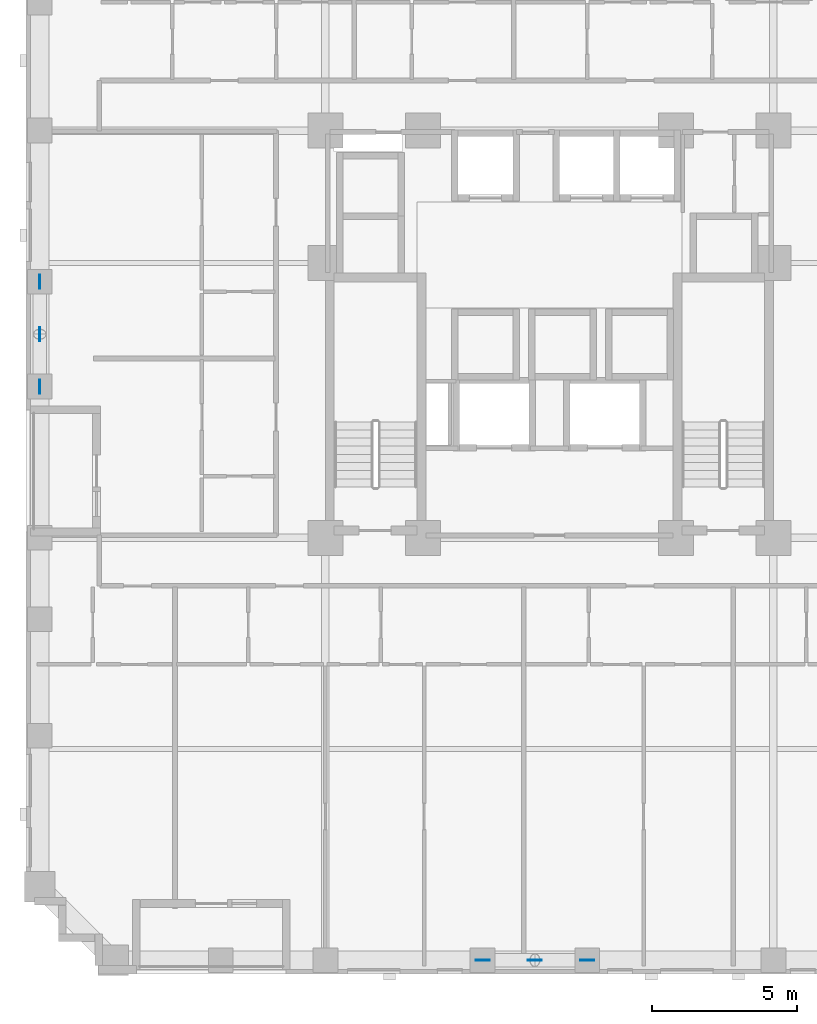
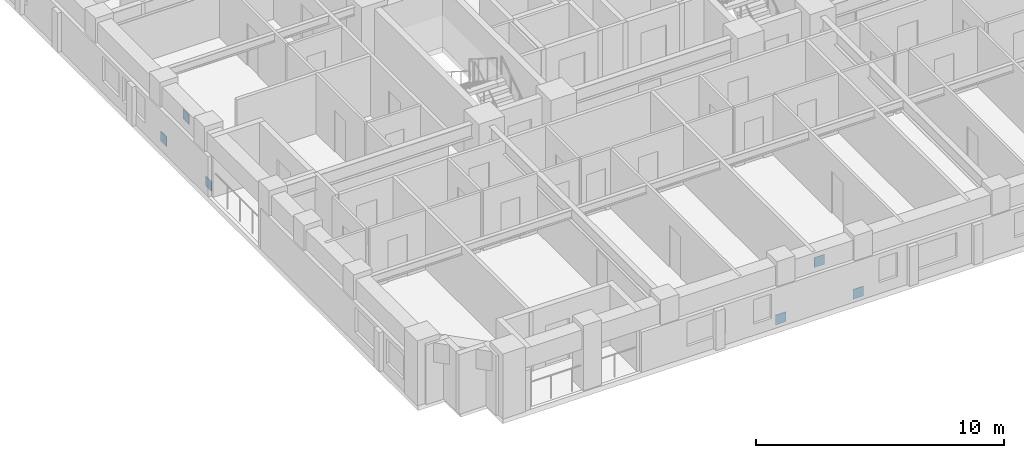
# One storey, part 10 of 14: 6 discrete accessories.
"""IFC4 building model written with IfcOpenShell, lengths in metres."""

import ifcopenshell
import ifcopenshell.guid

model = None  # the IFC model being written
_history = None  # IfcOwnerHistory: only IFC2X3 demands one
_inside = {}  # id of a spatial element -> (the spatial element, [elements in it])
_under = {}  # id of a project, library or spatial element -> (it, [spatial elements below it])
_declared = {}  # id of a project -> (the project, [libraries it declares])
_typed = {}  # id of a type object -> (the type object, [elements of that type])
_made_of = {}  # id of a material, layer set ... -> (it, [elements and type objects made of it])


def new_model(schema):
    """Start an empty IFC model of exactly this schema.

    Asked for "IFC4X3", IfcOpenShell would pick the latest addendum, in which some entities
    have other attributes; the version numbers below select the first issue.
    IFC2X3 requires an IfcOwnerHistory on every rooted entity: one is made here for all.
    """
    global model, _history
    if schema == "IFC4X3":
        model = ifcopenshell.file(schema_version=(4, 3, 0, 0))
    else:
        model = ifcopenshell.file(schema=schema)
    _inside.clear()
    _under.clear()
    _declared.clear()
    _typed.clear()
    _made_of.clear()
    _history = None
    if model.schema == "IFC2X3":
        org = make("IfcOrganization", Name="unknown")
        user = make(
            "IfcPersonAndOrganization",
            ThePerson=make("IfcPerson", FamilyName="unknown"),
            TheOrganization=org,
        )
        app = make(
            "IfcApplication",
            ApplicationDeveloper=org,
            Version="unknown",
            ApplicationFullName="unknown",
            ApplicationIdentifier="unknown",
        )
        _history = make(
            "IfcOwnerHistory",
            OwningUser=user,
            OwningApplication=app,
            ChangeAction="ADDED",
            CreationDate=0,
        )
    return model


def make(cls, **values):
    """One entity of the class cls with the attributes given. An attribute that is None is left unset."""
    return model.create_entity(
        cls, **{name: value for name, value in values.items() if value is not None}
    )


def rooted(cls, **values):
    """An entity with a GlobalId (a new one), such as an element, a storey or a relation."""
    return make(cls, GlobalId=ifcopenshell.guid.new(), OwnerHistory=_history, **values)


def si_unit(unit_type, name, prefix=None):
    """IfcSIUnit, for example si_unit("LENGTHUNIT", "METRE", prefix="MILLI")."""
    return make("IfcSIUnit", UnitType=unit_type, Prefix=prefix, Name=name)


def derived_unit(unit_type, elements):
    """IfcDerivedUnit: a product of units, each with its exponent."""
    return make(
        "IfcDerivedUnit",
        Elements=[
            make("IfcDerivedUnitElement", Unit=unit, Exponent=power)
            for unit, power in elements
        ],
        UnitType=unit_type,
    )


def assignment(units):
    """IfcUnitAssignment: the units of a project."""
    return None if units is None else make("IfcUnitAssignment", Units=units)


def point(xyz):
    """IfcCartesianPoint."""
    return None if xyz is None else make("IfcCartesianPoint", Coordinates=xyz)


def direction(xyz):
    """IfcDirection."""
    return None if xyz is None else make("IfcDirection", DirectionRatios=xyz)


def frame(location, z_axis=None, x_axis=None):
    """IfcAxis2Placement3D, a coordinate frame: its origin and axes. An axis left out is left unset."""
    return make(
        "IfcAxis2Placement3D",
        Location=point(location),
        Axis=direction(z_axis),
        RefDirection=direction(x_axis),
    )


def frame_2d(location, x_axis=None):
    """IfcAxis2Placement2D, a coordinate frame in the plane: its origin and x axis."""
    return make(
        "IfcAxis2Placement2D", Location=point(location), RefDirection=direction(x_axis)
    )


def origin():
    """The frame at (0, 0, 0) with its axes left unset."""
    return frame((0.0, 0.0, 0.0))


def origin_2d():
    """The frame at (0, 0) in the plane with its x axis left unset."""
    return frame_2d((0.0, 0.0))


def place(relative_to, where):
    """IfcLocalPlacement: puts the frame where relative to a parent placement (None: the world)."""
    return make(
        "IfcLocalPlacement", PlacementRelTo=relative_to, RelativePlacement=where
    )


def context(
    kind, dimensions, precision=None, world=None, true_north=None, identifier=None
):
    """IfcGeometricRepresentationContext, for example the 3D "Model" context."""
    return make(
        "IfcGeometricRepresentationContext",
        ContextIdentifier=identifier,
        ContextType=kind,
        CoordinateSpaceDimension=dimensions,
        Precision=precision,
        WorldCoordinateSystem=world,
        TrueNorth=true_north,
    )


def subcontext(parent, identifier, kind, view, scale=None):
    """IfcGeometricRepresentationSubContext, for example "Body" below "Model"."""
    return make(
        "IfcGeometricRepresentationSubContext",
        ContextIdentifier=identifier,
        ContextType=kind,
        ParentContext=parent,
        TargetScale=scale,
        TargetView=view,
    )


def project(units=None, contexts=None):
    """IfcProject with its units and contexts."""
    return rooted(
        "IfcProject",
        Name="project",
        RepresentationContexts=contexts,
        UnitsInContext=assignment(units),
    )


def spatial(cls, under=None, at=None, **own):
    """A site, building, storey or space (cls), placed at a placement, below another one or the project."""
    s = rooted(cls, ObjectPlacement=at, **own)
    if under is not None:
        _under.setdefault(under.id(), (under, []))[1].append(s)
    return s


def profile(cls, at=None, kind="AREA", **sizes):
    """A parametric profile (cls). Its sizes go by their IFC names, for example OverallWidth=200.0."""
    return make(cls, ProfileType=kind, Position=at, **sizes)


def rectangle(**sizes):
    """IfcRectangleProfileDef."""
    return profile("IfcRectangleProfileDef", **sizes)


def extrude(swept, where, along, depth):
    """IfcExtrudedAreaSolid: the profile swept, set in the frame where, extruded along a direction by depth."""
    return make(
        "IfcExtrudedAreaSolid",
        SweptArea=swept,
        Position=where,
        ExtrudedDirection=direction(along),
        Depth=depth,
    )


def shape(context_of_items, identifier, shape_type, items):
    """IfcShapeRepresentation: the items that make up one representation, for example the "Body"."""
    return make(
        "IfcShapeRepresentation",
        ContextOfItems=context_of_items,
        RepresentationIdentifier=identifier,
        RepresentationType=shape_type,
        Items=items,
    )


def material(Name=None, Category=None):
    """IfcMaterial."""
    return make("IfcMaterial", Name=Name, Category=Category)


def layer(
    of_material, thickness, ventilated=None, Name=None, Category=None, Priority=None
):
    """IfcMaterialLayer: one layer of a wall or slab, of a material (None: an air gap)."""
    return make(
        "IfcMaterialLayer",
        Material=of_material,
        LayerThickness=thickness,
        IsVentilated=ventilated,
        Name=Name,
        Category=Category,
        Priority=Priority,
    )


def layer_set(layers, Name=None):
    """IfcMaterialLayerSet."""
    return make("IfcMaterialLayerSet", MaterialLayers=layers, LayerSetName=Name)


def made_of(thing, what):
    """Note that an element or type object is made of a material, layer set ...; save() writes the relation."""
    if what is not None:
        _made_of.setdefault(what.id(), (what, []))[1].append(thing)
    return thing


def type_object(cls, material=None, **own):
    """A type object (cls), such as IfcWallType, which elements share."""
    return made_of(rooted(cls, **own), material)


def element(
    cls,
    number,
    at=None,
    inside=None,
    cuts=None,
    type_object=None,
    material=None,
    context=None,
    identifier="Body",
    shape_type=None,
    held_by="IfcProductDefinitionShape",
    body=None,
    shapes=None,
    **own,
):
    """One element of the class cls, such as IfcWall. Its Tag is "e" and its number.

    at: its placement. inside: the storey or other place that contains it. cuts: it is an
    opening in that element (IfcRelVoidsElement). A single representation is given by context,
    identifier, shape_type and body (its items); several are given by shapes. held_by: the class
    of the entity that holds the representations. save() writes the other relations.
    """
    e = rooted(cls, Tag="e%d" % number, ObjectPlacement=at, **own)
    if body is not None:
        shapes = [shape(context, identifier, shape_type, body)]
    if shapes is not None:
        e.Representation = make(held_by, Representations=shapes)
    if inside is not None:
        _inside.setdefault(inside.id(), (inside, []))[1].append(e)
    if cuts is not None:
        rooted(
            "IfcRelVoidsElement", RelatingBuildingElement=cuts, RelatedOpeningElement=e
        )
    if type_object is not None:
        _typed.setdefault(type_object.id(), (type_object, []))[1].append(e)
    return made_of(e, material)


def aggregate(whole, parts):
    """IfcRelAggregates: a whole, such as a stair, and the parts it consists of."""
    return rooted("IfcRelAggregates", RelatingObject=whole, RelatedObjects=parts)


def save(model, path):
    """Write the relations noted so far, then the file.

    IfcRelAggregates (storeys below a building ...), IfcRelContainedInSpatialStructure (elements
    in a storey), IfcRelDefinesByType, IfcRelAssociatesMaterial and IfcRelDeclares: one each for
    every whole, place, type object, material and project.
    """
    for whole, parts in _under.values():
        aggregate(whole, parts)
    for where, things in _inside.values():
        rooted(
            "IfcRelContainedInSpatialStructure",
            RelatedElements=things,
            RelatingStructure=where,
        )
    for kind, things in _typed.values():
        rooted("IfcRelDefinesByType", RelatedObjects=things, RelatingType=kind)
    for what, things in _made_of.values():
        rooted("IfcRelAssociatesMaterial", RelatedObjects=things, RelatingMaterial=what)
    for by, libraries in _declared.values():
        rooted("IfcRelDeclares", RelatingContext=by, RelatedDefinitions=libraries)
    model.write(path)


model = new_model("IFC4")

# Units and contexts
model_context = context("Model", 3, precision=1e-05, world=origin(), true_north=direction((0.0, 1.0)))
body_context = subcontext(model_context, "Body", "Model", "MODEL_VIEW")
ifc_project = project(units=[si_unit("LENGTHUNIT", "METRE"), si_unit("AREAUNIT", "SQUARE_METRE"), si_unit("VOLUMEUNIT", "CUBIC_METRE"), si_unit("PLANEANGLEUNIT", "RADIAN"), si_unit("MASSUNIT", "GRAM", prefix="KILO"), derived_unit("THERMALTRANSMITTANCEUNIT", [(si_unit("MASSUNIT", "GRAM", prefix="KILO"), 1), (si_unit("TIMEUNIT", "SECOND"), -3), (si_unit("THERMODYNAMICTEMPERATUREUNIT", "KELVIN"), -1)])], contexts=[model_context])

# Site, building, storey
site_placement = place(None, origin())
site = spatial("IfcSite", under=ifc_project, at=site_placement, CompositionType="ELEMENT")
building_placement = place(site_placement, origin())
building = spatial("IfcBuilding", under=site, at=building_placement, Name="Korrvale Station Residences", CompositionType="ELEMENT")
storey_placement = place(building_placement, frame((0.0, 0.0, 54.60009765625)))
storey = spatial("IfcBuildingStorey", under=building, at=storey_placement, Name="L14", CompositionType="ELEMENT", Elevation=54.60009765625)

# Discrete accessories
ifc_material = material(Name="Steel S355", Category="steel")
ifc_layer = layer(ifc_material, 0.02490234375, Name="Steel S355")
ifc_layer_set = layer_set([ifc_layer], Name="Steel S355")
discrete_accessory_type = type_object("IfcDiscreteAccessoryType", Name="ACC-GUSSET-25", PredefinedType="BRACKET", material=ifc_layer_set)
for number, where, z_axis, x_axis, name in (
    (1, (23.199951171875, 0.47998046875, -0.219970703125), (0.0, 0.0, 1.0), (1.0, 0.0, 0.0), "L14 S Brace End Gusset Connection A"),
    (2, (26.800048828125, 0.47998046875, -0.219970703125), (0.0, 0.0, 1.0), (1.0, 0.0, 0.0), "L14 S Brace End Gusset Connection B"),
    (3, (25.0, 0.47998046875, 1.969970703125), (0.0, 0.0, 1.0), (1.0, 0.0, 0.0), "L14 S Brace End Gusset Connection M"),
    (4, (7.97998046875, 20.199951171875, -0.219970703125), (0.0, 0.0, 1.0), (0.0, 1.0, 0.0), "L14 W Brace End Gusset Connection A"),
    (5, (7.97998046875, 23.800048828125, -0.219970703125), (0.0, 0.0, 1.0), (0.0, 1.0, 0.0), "L14 W Brace End Gusset Connection B"),
    (6, (7.97998046875, 22.0, 1.969970703125), (0.0, 0.0, 1.0), (0.0, 1.0, 0.0), "L14 W Brace End Gusset Connection M"),
):
    element("IfcDiscreteAccessory", number, at=place(storey_placement, frame(where, z_axis=z_axis, x_axis=x_axis)), inside=storey, type_object=discrete_accessory_type, Name=name, PredefinedType="BRACKET", context=body_context, shape_type="SweptSolid", body=[
        extrude(rectangle(XDim=0.47998046875, YDim=0.02490234375, at=origin_2d()), origin(), (0.0, 0.0, 1.0), 0.47998046875),
    ])

save(model, "model.ifc")
